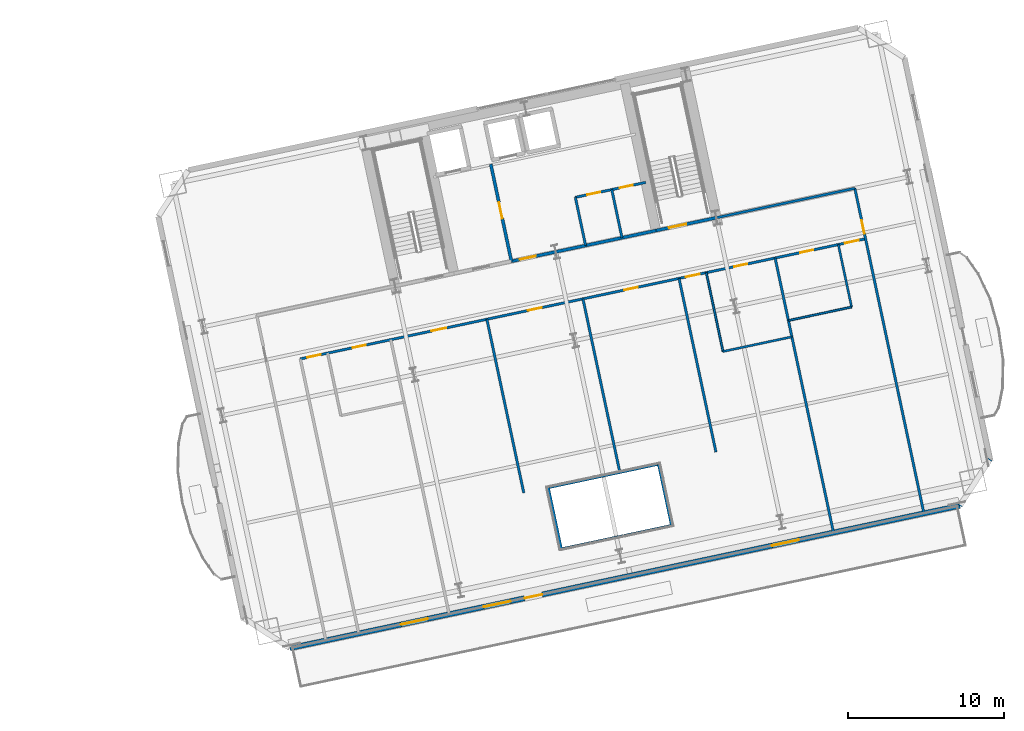
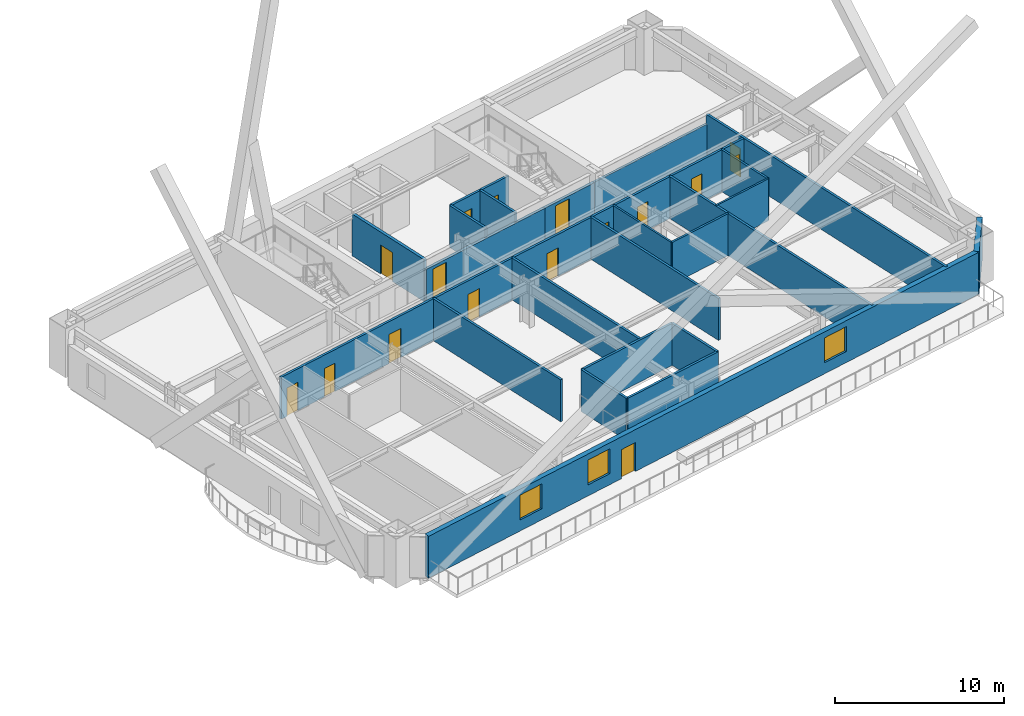
# One storey, part 14 of 25: 23 walls, 16 doors, 3 windows, 19 openings.
"""IFC4 building model written with IfcOpenShell, lengths in metres."""

from ifc_helpers import new_model, si_unit, direction, frame, frame_2d, origin, place, context, subcontext, project, spatial, rectangle, extrude, material, layer, layer_set, type_object, element, fill, save


model = new_model("IFC4")

# Units and contexts
model_context = context("Model", 3, precision=1e-05, world=origin(), true_north=direction((0.0, 1.0)))
body_context = subcontext(model_context, "Body", "Model", "MODEL_VIEW")
ifc_project = project(units=[si_unit("LENGTHUNIT", "METRE"), si_unit("AREAUNIT", "SQUARE_METRE"), si_unit("VOLUMEUNIT", "CUBIC_METRE"), si_unit("PLANEANGLEUNIT", "RADIAN"), si_unit("MASSUNIT", "GRAM", prefix="KILO")], contexts=[model_context])

# Site, building, storey
site_placement = place(None, origin())
site = spatial("IfcSite", under=ifc_project, at=site_placement, CompositionType="ELEMENT")
building_placement = place(site_placement, origin())
building = spatial("IfcBuilding", under=site, at=building_placement, Name="Haevon Station Towers", CompositionType="ELEMENT")
storey_placement = place(building_placement, frame((0.0, 0.0, 50.39990234375)))
storey = spatial("IfcBuildingStorey", under=building, at=storey_placement, Name="L12", CompositionType="ELEMENT", Elevation=50.39990234375)

# Wall, opening, door
ifc_material_1 = material(Name="Gypsum board on steel stud", Category="steel")
ifc_layer_1 = layer(ifc_material_1, 0.199951171875)
ifc_layer_set_1 = layer_set([ifc_layer_1], Name="Gypsum board on steel stud")
wall_type_1 = type_object("IfcWallType", Name="WL-COR200", PredefinedType="PARTITIONING", material=ifc_layer_set_1)
wall_1_placement = place(storey_placement, frame((115.4296875, 40.9873046875, 0.0), z_axis=(0.0, 0.0, 1.0), x_axis=(0.978146596989, 0.207916413008, 0.0)))
wall_1 = element("IfcWall", 1, at=wall_1_placement, inside=storey, type_object=wall_type_1, Name="WL-ST-ST4-L12", PredefinedType="PARTITIONING", context=body_context, shape_type="SweptSolid", body=[
    extrude(rectangle(XDim=3.9501953125, YDim=0.199951171875, at=frame_2d((1.97509765625, 0.0))), origin(), (0.0, 0.0, 1.0), 2.330078125),
])
opening_1_placement = place(wall_1_placement, frame((0.85009765625, 0.0, 0.0)))
opening_1 = element("IfcOpeningElement", 2, at=opening_1_placement, cuts=wall_1, Name="Opening DR-ST-ST4-L12", PredefinedType="OPENING", context=body_context, shape_type="SweptSolid", body=[
    extrude(rectangle(XDim=1.1201171875, YDim=2.10009765625, at=frame_2d((0.56005859375, 1.050048828125))), frame((0.0, 0.10986328125, 0.0), z_axis=(0.0, -1.0, 0.0), x_axis=(1.0, 0.0, 0.0)), (0.0, 0.0, 1.0), 0.219970703125),
])
ifc_material_2 = material(Name="Engineered oak timber", Category="wood")
door_type_1 = type_object("IfcDoorType", Name="DR-ST-1120", OperationType="NOTDEFINED", PredefinedType="DOOR", material=ifc_material_2)
door_1_placement = place(opening_1_placement, origin())
door_1 = element("IfcDoor", 3, at=door_1_placement, inside=storey, type_object=door_type_1, Name="L12 Escape Stair ST4 Fire Door", OperationType="SINGLE_SWING_RIGHT", OverallHeight=2.10009765625, OverallWidth=1.1201171875, PredefinedType="DOOR", context=body_context, shape_type="SweptSolid", body=[
    extrude(rectangle(XDim=1.1201171875, YDim=2.10009765625, at=frame_2d((0.56005859375, 1.050048828125))), frame((0.0, 0.02490234375, 0.0), z_axis=(0.0, -1.0, 0.0), x_axis=(1.0, 0.0, 0.0)), (0.0, 0.0, 1.0), 0.050048828125),
])
fill(opening_1, door_1)

wall_2_placement = place(storey_placement, frame((106.186279296875, 39.0224609375, 0.0), z_axis=(0.0, 0.0, 1.0), x_axis=(-0.207916691923, 0.978146537703, 0.0)))
wall_2 = element("IfcWall", 4, at=wall_2_placement, inside=storey, type_object=wall_type_1, Name="WL-T2FFL-L12-E", PredefinedType="PARTITIONING", context=body_context, shape_type="SweptSolid", body=[
    extrude(rectangle(XDim=6.35009765625, YDim=0.199951171875, at=frame_2d((3.175048828125, 0.0))), origin(), (0.0, 0.0, 1.0), 3.030029296875),
])
opening_2_placement = place(wall_2_placement, frame((2.800048828125, 0.0, 0.0)))
opening_2 = element("IfcOpeningElement", 5, at=opening_2_placement, cuts=wall_2, Name="Opening DR-T2FFL-L12-E", PredefinedType="OPENING", context=body_context, shape_type="SweptSolid", body=[
    extrude(rectangle(XDim=1.050048828125, YDim=2.10009765625, at=frame_2d((0.52490234375, 1.050048828125))), frame((0.0, 0.10986328125, 0.0), z_axis=(0.0, -1.0, 0.0), x_axis=(1.0, 0.0, 0.0)), (0.0, 0.0, 1.0), 0.219970703125),
])
door_type_2 = type_object("IfcDoorType", Name="DR-FD60-1050", OperationType="NOTDEFINED", PredefinedType="DOOR", material=ifc_material_2)
door_2_placement = place(opening_2_placement, origin())
door_2 = element("IfcDoor", 6, at=door_2_placement, inside=storey, type_object=door_type_2, Name="L12 Tower 2 Firefighting Lift Lobby Door E", OperationType="SINGLE_SWING_LEFT", OverallHeight=2.10009765625, OverallWidth=1.050048828125, PredefinedType="DOOR", context=body_context, shape_type="SweptSolid", body=[
    extrude(rectangle(XDim=1.050048828125, YDim=2.10009765625, at=frame_2d((0.52490234375, 1.050048828125))), frame((0.0, 0.02490234375, 0.0), z_axis=(0.0, -1.0, 0.0), x_axis=(1.0, 0.0, 0.0)), (0.0, 0.0, 1.0), 0.050048828125),
])
fill(opening_2, door_2)

wall_3_placement = place(storey_placement, frame((106.186279296875, 39.0224609375, 0.0), z_axis=(0.0, 0.0, 1.0), x_axis=(0.978145519981, 0.20792147975, 0.0)))
wall_3 = element("IfcWall", 7, at=wall_3_placement, inside=storey, type_object=wall_type_1, Name="WL-T2CLB-L12", PredefinedType="PARTITIONING", context=body_context, shape_type="SweptSolid", body=[
    extrude(rectangle(XDim=9.449951171875, YDim=0.199951171875, at=frame_2d((4.72509765625, 0.0))), origin(), (0.0, 0.0, 1.0), 2.330078125),
])
opening_3_placement = place(wall_3_placement, frame((0.550048828125, 0.0, 0.0)))
opening_3 = element("IfcOpeningElement", 8, at=opening_3_placement, cuts=wall_3, Name="Opening DR-T2CLB-L12-1", PredefinedType="OPENING", context=body_context, shape_type="SweptSolid", body=[
    extrude(rectangle(XDim=1.050048828125, YDim=2.10009765625, at=frame_2d((0.52490234375, 1.050048828125))), frame((0.0, 0.10986328125, 0.0), z_axis=(0.0, -1.0, 0.0), x_axis=(1.0, 0.0, 0.0)), (0.0, 0.0, 1.0), 0.219970703125),
])
door_3_placement = place(opening_3_placement, origin())
door_3 = element("IfcDoor", 9, at=door_3_placement, inside=storey, type_object=door_type_2, Name="L12 Tower 2 Core Lift Lobby Door 1", OperationType="SINGLE_SWING_LEFT", OverallHeight=2.10009765625, OverallWidth=1.050048828125, PredefinedType="DOOR", context=body_context, shape_type="SweptSolid", body=[
    extrude(rectangle(XDim=1.050048828125, YDim=2.10009765625, at=frame_2d((0.52490234375, 1.050048828125))), frame((0.0, 0.02490234375, 0.0), z_axis=(0.0, -1.0, 0.0), x_axis=(1.0, 0.0, 0.0)), (0.0, 0.0, 1.0), 0.050048828125),
])
fill(opening_3, door_3)

# Wall, openings, door, windows
ifc_material_3 = material(Name="Precast concrete C45/55", Category="concrete")
ifc_layer_2 = layer(ifc_material_3, 0.340087890625)
ifc_layer_set_2 = layer_set([ifc_layer_2], Name="Precast concrete C45/55")
wall_type_2 = type_object("IfcWallType", Name="WL-EXT-PIER340", PredefinedType="SOLIDWALL", material=ifc_layer_set_2)
wall_4_placement = place(storey_placement, frame((134.862548828125, 23.39306640625, 0.0), z_axis=(0.0, 0.0, 1.0), x_axis=(-0.978148154167, -0.207909087104, 0.0)))
wall_4 = element("IfcWall", 10, at=wall_4_placement, inside=storey, type_object=wall_type_2, Name="WL-T2-L12-S", PredefinedType="SOLIDWALL", context=body_context, shape_type="SweptSolid", body=[
    extrude(rectangle(XDim=43.800048828125, YDim=0.340087890625, at=frame_2d((21.89990234375, 0.0))), origin(), (0.0, 0.0, 1.0), 3.030029296875),
])
opening_4_placement = place(wall_4_placement, frame((27.306396484375, 0.0, 0.0)))
opening_4 = element("IfcOpeningElement", 11, at=opening_4_placement, cuts=wall_4, Name="Opening DR-T2-SKYG-L12", PredefinedType="OPENING", context=body_context, shape_type="SweptSolid", body=[
    extrude(rectangle(XDim=1.14990234375, YDim=2.10009765625, at=frame_2d((0.574951171875, 1.050048828125))), frame((0.0, 0.179931640625, 0.0), z_axis=(0.0, -1.0, 0.0), x_axis=(1.0, 0.0, 0.0)), (0.0, 0.0, 1.0), 0.360107421875),
])
opening_5_placement = place(wall_4_placement, frame((34.78857421875, 0.0, 0.800048828125)))
opening_5 = element("IfcOpeningElement", 12, at=opening_5_placement, cuts=wall_4, Name="Opening WN-P175", PredefinedType="OPENING", context=body_context, shape_type="SweptSolid", body=[
    extrude(rectangle(XDim=1.75, YDim=1.800048828125, at=frame_2d((0.875, 0.89990234375))), frame((0.0, 0.179931640625, 0.0), z_axis=(0.0, -1.0, 0.0), x_axis=(1.0, 0.0, 0.0)), (0.0, 0.0, 1.0), 0.360107421875),
])
opening_6_placement = place(wall_4_placement, frame((29.372314453125, 0.0, 0.800048828125)))
opening_6 = element("IfcOpeningElement", 13, at=opening_6_placement, cuts=wall_4, Name="Opening WN-P175", PredefinedType="OPENING", context=body_context, shape_type="SweptSolid", body=[
    extrude(rectangle(XDim=1.75, YDim=1.800048828125, at=frame_2d((0.875, 0.89990234375))), frame((0.0, 0.179931640625, 0.0), z_axis=(0.0, -1.0, 0.0), x_axis=(1.0, 0.0, 0.0)), (0.0, 0.0, 1.0), 0.360107421875),
])
opening_7_placement = place(wall_4_placement, frame((10.52783203125, 0.0, 0.800048828125)))
opening_7 = element("IfcOpeningElement", 14, at=opening_7_placement, cuts=wall_4, Name="Opening WN-P175", PredefinedType="OPENING", context=body_context, shape_type="SweptSolid", body=[
    extrude(rectangle(XDim=1.75, YDim=1.800048828125, at=frame_2d((0.875, 0.89990234375))), frame((0.0, 0.179931640625, 0.0), z_axis=(0.0, -1.0, 0.0), x_axis=(1.0, 0.0, 0.0)), (0.0, 0.0, 1.0), 0.360107421875),
])
ifc_material_4 = material(Name="Thermally broken anodised aluminium and laminated safety glass", Category="aluminium")
door_type_3 = type_object("IfcDoorType", Name="DR-BALC-1150", OperationType="NOTDEFINED", PredefinedType="DOOR", material=ifc_material_4)
door_4_placement = place(opening_4_placement, origin())
door_4 = element("IfcDoor", 15, at=door_4_placement, inside=storey, type_object=door_type_3, Name="Tower 2 L12 Sky Garden Terrace Door", OperationType="SINGLE_SWING_LEFT", OverallHeight=2.10009765625, OverallWidth=1.14990234375, PredefinedType="DOOR", context=body_context, shape_type="SweptSolid", body=[
    extrude(rectangle(XDim=1.14990234375, YDim=2.10009765625, at=frame_2d((0.574951171875, 1.050048828125))), frame((0.0, 0.02490234375, 0.0), z_axis=(0.0, -1.0, 0.0), x_axis=(1.0, 0.0, 0.0)), (0.0, 0.0, 1.0), 0.050048828125),
])
fill(opening_4, door_4)
ifc_material_5 = material(Name="Low-E triple glazing in thermally broken aluminium", Category="aluminium")
window_type = type_object("IfcWindowType", Name="WN-P175", PartitioningType="SINGLE_PANEL", PredefinedType="WINDOW", material=ifc_material_5)
window_1_placement = place(opening_5_placement, origin())
window_1 = element("IfcWindow", 16, at=window_1_placement, inside=storey, type_object=window_type, Name="WN-T2-L12-S01", OverallHeight=1.800048828125, OverallWidth=1.75, PartitioningType="SINGLE_PANEL", PredefinedType="WINDOW", context=body_context, shape_type="SweptSolid", body=[
    extrude(rectangle(XDim=1.75, YDim=1.800048828125, at=frame_2d((0.875, 0.89990234375))), frame((0.0, 0.030029296875, 0.0), z_axis=(0.0, -1.0, 0.0), x_axis=(1.0, 0.0, 0.0)), (0.0, 0.0, 1.0), 0.06005859375),
])
fill(opening_5, window_1)
window_2_placement = place(opening_6_placement, origin())
window_2 = element("IfcWindow", 17, at=window_2_placement, inside=storey, type_object=window_type, Name="WN-T2-L12-S02", OverallHeight=1.800048828125, OverallWidth=1.75, PartitioningType="SINGLE_PANEL", PredefinedType="WINDOW", context=body_context, shape_type="SweptSolid", body=[
    extrude(rectangle(XDim=1.75, YDim=1.800048828125, at=frame_2d((0.875, 0.89990234375))), frame((0.0, 0.030029296875, 0.0), z_axis=(0.0, -1.0, 0.0), x_axis=(1.0, 0.0, 0.0)), (0.0, 0.0, 1.0), 0.06005859375),
])
fill(opening_6, window_2)
window_3_placement = place(opening_7_placement, origin())
window_3 = element("IfcWindow", 18, at=window_3_placement, inside=storey, type_object=window_type, Name="WN-T2-L12-S03", OverallHeight=1.800048828125, OverallWidth=1.75, PartitioningType="SINGLE_PANEL", PredefinedType="WINDOW", context=body_context, shape_type="SweptSolid", body=[
    extrude(rectangle(XDim=1.75, YDim=1.800048828125, at=frame_2d((0.875, 0.89990234375))), frame((0.0, 0.030029296875, 0.0), z_axis=(0.0, -1.0, 0.0), x_axis=(1.0, 0.0, 0.0)), (0.0, 0.0, 1.0), 0.06005859375),
])
fill(opening_7, window_3)

# Walls
wall_5_placement = place(storey_placement, frame((136.7880859375, 26.358154296875, 0.0), z_axis=(0.0, 0.0, 1.0), x_axis=(-0.544636352948, -0.838672309694, 0.0)))
element("IfcWall", 19, at=wall_5_placement, inside=storey, type_object=wall_type_2, Name="WL-T2-L12-SEC", PredefinedType="SOLIDWALL", context=body_context, shape_type="SweptSolid", body=[
    extrude(rectangle(XDim=3.535400390625, YDim=0.340087890625, at=frame_2d((1.767578125, 0.0))), origin(), (0.0, 0.0, 1.0), 3.030029296875),
])
ifc_layer_3 = layer(ifc_material_1, 0.125)
ifc_layer_set_3 = layer_set([ifc_layer_3], Name="Gypsum board on steel stud")
wall_type_3 = type_object("IfcWallType", Name="WL-PRT125", PredefinedType="PARTITIONING", material=ifc_layer_set_3)
wall_6_placement = place(storey_placement, frame((119.717529296875, 33.25537109375, 0.0), z_axis=(0.0, 0.0, 1.0), x_axis=(-0.207934097981, 0.978142837676, 0.0)))
element("IfcWall", 20, at=wall_6_placement, inside=storey, type_object=wall_type_3, Name="WL-T2PT-L12-19", PredefinedType="PARTITIONING", context=body_context, shape_type="SweptSolid", body=[
    extrude(rectangle(XDim=5.154296875, YDim=0.125, at=frame_2d((2.5771484375, 0.0))), origin(), (0.0, 0.0, 1.0), 3.030029296875),
])
wall_7_placement = place(storey_placement, frame((123.8984375, 35.23681640625, 0.0), z_axis=(0.0, 0.0, 1.0), x_axis=(0.978146085238, 0.207918820535, 0.0)))
element("IfcWall", 21, at=wall_7_placement, inside=storey, type_object=wall_type_3, Name="WL-T2PT-L12-21", PredefinedType="PARTITIONING", context=body_context, shape_type="SweptSolid", body=[
    extrude(rectangle(XDim=4.132080078125, YDim=0.125, at=frame_2d((2.06591796875, 0.0))), origin(), (0.0, 0.0, 1.0), 3.030029296875),
])
ifc_layer_4 = layer(ifc_material_1, 0.139892578125)
ifc_layer_set_4 = layer_set([ifc_layer_4], Name="Gypsum board on steel stud")
wall_type_4 = type_object("IfcWallType", Name="WL-PRT140", PredefinedType="PARTITIONING", material=ifc_layer_set_4)
wall_8_placement = place(storey_placement, frame((119.717529296875, 33.25537109375, 0.0), z_axis=(0.0, 0.0, 1.0), x_axis=(0.978141617635, 0.207939837095, 0.0)))
element("IfcWall", 22, at=wall_8_placement, inside=storey, type_object=wall_type_4, Name="WL-T2PT-L12-18", PredefinedType="PARTITIONING", context=body_context, shape_type="SweptSolid", body=[
    extrude(rectangle(XDim=4.50146484375, YDim=0.139892578125, at=frame_2d((2.250732421875, 0.0))), origin(), (0.0, 0.0, 1.0), 3.030029296875),
])
wall_9_placement = place(storey_placement, frame((127.940185546875, 36.095947265625, 0.0), z_axis=(0.0, 0.0, 1.0), x_axis=(-0.207949518415, 0.978139559465, 0.0)))
element("IfcWall", 23, at=wall_9_placement, inside=storey, type_object=wall_type_4, Name="WL-T2PT-L12-22", PredefinedType="PARTITIONING", context=body_context, shape_type="SweptSolid", body=[
    extrude(rectangle(XDim=4.085693359375, YDim=0.139892578125, at=frame_2d((2.04296875, 0.0))), origin(), (0.0, 0.0, 1.0), 3.030029296875),
])
ifc_layer_5 = layer(ifc_material_1, 0.159912109375)
ifc_layer_set_5 = layer_set([ifc_layer_5], Name="Gypsum board on steel stud")
wall_type_5 = type_object("IfcWallType", Name="WL-PRT160", PredefinedType="PARTITIONING", material=ifc_layer_set_5)
wall_10_placement = place(storey_placement, frame((110.93017578125, 40.031005859375, 0.0), z_axis=(0.0, 0.0, 1.0), x_axis=(-0.207877295669, 0.978154911016, 0.0)))
element("IfcWall", 24, at=wall_10_placement, inside=storey, type_object=wall_type_5, Name="WL-T2CW-L12-01", PredefinedType="PARTITIONING", context=body_context, shape_type="SweptSolid", body=[
    extrude(rectangle(XDim=3.14990234375, YDim=0.159912109375, at=frame_2d((1.574951171875, 0.0))), origin(), (0.0, 0.0, 1.0), 3.030029296875),
])
wall_11_placement = place(storey_placement, frame((113.25830078125, 40.525634765625, 0.0), z_axis=(0.0, 0.0, 1.0), x_axis=(-0.207935688634, 0.978142499533, 0.0)))
element("IfcWall", 25, at=wall_11_placement, inside=storey, type_object=wall_type_5, Name="WL-T2CW-L12-02", PredefinedType="PARTITIONING", context=body_context, shape_type="SweptSolid", body=[
    extrude(rectangle(XDim=3.150146484375, YDim=0.159912109375, at=frame_2d((1.5751953125, 0.0))), origin(), (0.0, 0.0, 1.0), 3.030029296875),
])

# Wall, openings, doors
wall_12_placement = place(storey_placement, frame((110.275390625, 43.112060546875, 0.0), z_axis=(0.0, 0.0, 1.0), x_axis=(0.978152106073, 0.207890493732, 0.0)))
wall_12 = element("IfcWall", 26, at=wall_12_placement, inside=storey, type_object=wall_type_5, Name="WL-T2CW-L12-03", PredefinedType="PARTITIONING", context=body_context, shape_type="SweptSolid", body=[
    extrude(rectangle(XDim=4.60009765625, YDim=0.159912109375, at=frame_2d((2.300048828125, 0.0))), origin(), (0.0, 0.0, 1.0), 3.030029296875),
])
opening_8_placement = place(wall_12_placement, frame((0.784912109375, 0.0, 0.0)))
opening_8 = element("IfcOpeningElement", 27, at=opening_8_placement, cuts=wall_12, Name="Opening DR-WL-T2CW-L12-03-1", PredefinedType="OPENING", context=body_context, shape_type="SweptSolid", body=[
    extrude(rectangle(XDim=0.85009765625, YDim=2.050048828125, at=frame_2d((0.425048828125, 1.02490234375))), frame((0.0, 0.08984375, 0.0), z_axis=(0.0, -1.0, 0.0), x_axis=(1.0, 0.0, 0.0)), (0.0, 0.0, 1.0), 0.179931640625),
])
opening_9_placement = place(wall_12_placement, frame((2.905029296875, 0.0, 0.0)))
opening_9 = element("IfcOpeningElement", 28, at=opening_9_placement, cuts=wall_12, Name="Opening DR-WL-T2CW-L12-03-2", PredefinedType="OPENING", context=body_context, shape_type="SweptSolid", body=[
    extrude(rectangle(XDim=0.85009765625, YDim=2.050048828125, at=frame_2d((0.425048828125, 1.02490234375))), frame((0.0, 0.08984375, 0.0), z_axis=(0.0, -1.0, 0.0), x_axis=(1.0, 0.0, 0.0)), (0.0, 0.0, 1.0), 0.179931640625),
])
door_type_4 = type_object("IfcDoorType", Name="DR-FD30-850", OperationType="NOTDEFINED", PredefinedType="DOOR", material=ifc_material_2)
door_5_placement = place(opening_8_placement, origin())
door_5 = element("IfcDoor", 29, at=door_5_placement, inside=storey, type_object=door_type_4, Name="L12 Tower 2 Core Room Door 3-1", OperationType="SINGLE_SWING_LEFT", OverallHeight=2.050048828125, OverallWidth=0.85009765625, PredefinedType="DOOR", context=body_context, shape_type="SweptSolid", body=[
    extrude(rectangle(XDim=0.85009765625, YDim=2.050048828125, at=frame_2d((0.425048828125, 1.02490234375))), frame((0.0, 0.02490234375, 0.0), z_axis=(0.0, -1.0, 0.0), x_axis=(1.0, 0.0, 0.0)), (0.0, 0.0, 1.0), 0.050048828125),
])
fill(opening_8, door_5)
door_6_placement = place(opening_9_placement, origin())
door_6 = element("IfcDoor", 30, at=door_6_placement, inside=storey, type_object=door_type_4, Name="L12 Tower 2 Core Room Door 3-2", OperationType="SINGLE_SWING_RIGHT", OverallHeight=2.050048828125, OverallWidth=0.85009765625, PredefinedType="DOOR", context=body_context, shape_type="SweptSolid", body=[
    extrude(rectangle(XDim=0.85009765625, YDim=2.050048828125, at=frame_2d((0.425048828125, 1.02490234375))), frame((0.0, 0.02490234375, 0.0), z_axis=(0.0, -1.0, 0.0), x_axis=(1.0, 0.0, 0.0)), (0.0, 0.0, 1.0), 0.050048828125),
])
fill(opening_9, door_6)

# Wall
wall_13_placement = place(storey_placement, frame((119.29345703125, 41.80859375, 0.0), z_axis=(0.0, 0.0, 1.0), x_axis=(0.978148085545, 0.207909409948, 0.0)))
element("IfcWall", 31, at=wall_13_placement, inside=storey, type_object=wall_type_5, Name="WL-T2PT-L12-03", PredefinedType="PARTITIONING", context=body_context, shape_type="SweptSolid", body=[
    extrude(rectangle(XDim=9.050048828125, YDim=0.159912109375, at=frame_2d((4.52490234375, 0.0))), origin(), (0.0, 0.0, 1.0), 2.330078125),
])

# Wall, opening, door
wall_14_placement = place(storey_placement, frame((132.563720703125, 22.904541015625, 0.0), z_axis=(0.0, 0.0, 1.0), x_axis=(-0.207904649693, 0.978149097345, 0.0)))
wall_14 = element("IfcWall", 32, at=wall_14_placement, inside=storey, type_object=wall_type_5, Name="WL-T2PT-L12-05", PredefinedType="PARTITIONING", context=body_context, shape_type="SweptSolid", body=[
    extrude(rectangle(XDim=21.25, YDim=0.159912109375, at=frame_2d((10.625, 0.0))), origin(), (0.0, 0.0, 1.0), 3.030029296875),
])
opening_10_placement = place(wall_14_placement, frame((18.27001953125, 0.0, 0.0)))
opening_10 = element("IfcOpeningElement", 33, at=opening_10_placement, cuts=wall_14, Name="Opening DR-WL-T2PT-L12-05-01", PredefinedType="OPENING", context=body_context, shape_type="SweptSolid", body=[
    extrude(rectangle(XDim=0.89990234375, YDim=2.050048828125, at=frame_2d((0.449951171875, 1.02490234375))), frame((0.0, 0.08984375, 0.0), z_axis=(0.0, -1.0, 0.0), x_axis=(1.0, 0.0, 0.0)), (0.0, 0.0, 1.0), 0.179931640625),
])
door_type_5 = type_object("IfcDoorType", Name="DR-INT-900", OperationType="NOTDEFINED", PredefinedType="DOOR", material=ifc_material_2)
door_7_placement = place(opening_10_placement, origin())
door_7 = element("IfcDoor", 34, at=door_7_placement, inside=storey, type_object=door_type_5, Name="L12 Tower 2 Room Door 5-1", OperationType="SINGLE_SWING_RIGHT", OverallHeight=2.050048828125, OverallWidth=0.89990234375, PredefinedType="DOOR", context=body_context, shape_type="SweptSolid", body=[
    extrude(rectangle(XDim=0.89990234375, YDim=2.050048828125, at=frame_2d((0.449951171875, 1.02490234375))), frame((0.0, 0.02490234375, 0.0), z_axis=(0.0, -1.0, 0.0), x_axis=(1.0, 0.0, 0.0)), (0.0, 0.0, 1.0), 0.050048828125),
])
fill(opening_10, door_7)

# Walls
for number, where, z_axis, x_axis, name in (
    (35, (109.379150390625, 20.634521484375, 0.0), (0.0, 0.0, 1.0), (0.978144974276, 0.207924046946, 0.0), "WL-T2PT-L12-06"),
    (36, (108.54736328125, 24.547119140625, 0.0), (0.0, 0.0, 1.0), (0.978144974276, 0.207924046946, 0.0), "WL-T2PT-L12-07"),
):
    element("IfcWall", number, at=place(storey_placement, frame(where, z_axis=z_axis, x_axis=x_axis)), inside=storey, type_object=wall_type_5, Name=name, PredefinedType="PARTITIONING", context=body_context, shape_type="SweptSolid", body=[
        extrude(rectangle(XDim=7.2001953125, YDim=0.159912109375, at=frame_2d((3.60009765625, 0.0))), origin(), (0.0, 0.0, 1.0), 3.030029296875),
    ])
for number, where, z_axis, x_axis, name in (
    (37, (109.379150390625, 20.634521484375, 0.0), (0.0, 0.0, 1.0), (-0.207944891454, 0.978140543132, 0.0), "WL-T2PT-L12-08"),
    (38, (116.421875, 22.131591796875, 0.0), (0.0, 0.0, 1.0), (-0.207944891454, 0.978140543132, 0.0), "WL-T2PT-L12-09"),
):
    element("IfcWall", number, at=place(storey_placement, frame(where, z_axis=z_axis, x_axis=x_axis)), inside=storey, type_object=wall_type_5, Name=name, PredefinedType="PARTITIONING", context=body_context, shape_type="SweptSolid", body=[
        extrude(rectangle(XDim=4.0, YDim=0.159912109375, at=frame_2d((2.0, 0.0))), origin(), (0.0, 0.0, 1.0), 3.030029296875),
    ])
for number, where, z_axis, x_axis, name in (
    (39, (106.97607421875, 24.213134765625, 0.0), (0.0, 0.0, 1.0), (-0.20791586684, 0.978146713084, 0.0), "WL-T2PT-L12-13"),
    (40, (113.120361328125, 25.51904296875, 0.0), (0.0, 0.0, 1.0), (-0.20791586684, 0.978146713084, 0.0), "WL-T2PT-L12-14"),
):
    element("IfcWall", number, at=place(storey_placement, frame(where, z_axis=z_axis, x_axis=x_axis)), inside=storey, type_object=wall_type_5, Name=name, PredefinedType="PARTITIONING", context=body_context, shape_type="SweptSolid", body=[
        extrude(rectangle(XDim=11.35009765625, YDim=0.159912109375, at=frame_2d((5.675048828125, 0.0))), origin(), (0.0, 0.0, 1.0), 3.030029296875),
    ])
wall_15_placement = place(storey_placement, frame((119.2646484375, 26.8251953125, 0.0), z_axis=(0.0, 0.0, 1.0), x_axis=(-0.20792024147, 0.978145783197, 0.0)))
element("IfcWall", 41, at=wall_15_placement, inside=storey, type_object=wall_type_5, Name="WL-T2PT-L12-16", PredefinedType="PARTITIONING", context=body_context, shape_type="SweptSolid", body=[
    extrude(rectangle(XDim=11.349853515625, YDim=0.159912109375, at=frame_2d((5.6748046875, 0.0))), origin(), (0.0, 0.0, 1.0), 3.030029296875),
])
wall_16_placement = place(storey_placement, frame((126.781005859375, 21.67529296875, 0.0), z_axis=(0.0, 0.0, 1.0), x_axis=(-0.207906091967, 0.978148790789, 0.0)))
element("IfcWall", 42, at=wall_16_placement, inside=storey, type_object=wall_type_5, Name="WL-T2PT-L12-20", PredefinedType="PARTITIONING", context=body_context, shape_type="SweptSolid", body=[
    extrude(rectangle(XDim=17.9501953125, YDim=0.159912109375, at=frame_2d((8.97509765625, 0.0))), origin(), (0.0, 0.0, 1.0), 3.030029296875),
])

# Wall, openings, doors
wall_17_placement = place(storey_placement, frame((92.689208984375, 32.780029296875, 0.0), z_axis=(0.0, 0.0, 1.0), x_axis=(0.97814877431, 0.207906169498, 0.0)))
wall_17 = element("IfcWall", 43, at=wall_17_placement, inside=storey, type_object=wall_type_5, Name="WL-T2PT-L12-23", PredefinedType="PARTITIONING", context=body_context, shape_type="SweptSolid", body=[
    extrude(rectangle(XDim=36.949951171875, YDim=0.159912109375, at=frame_2d((18.47509765625, 0.0))), origin(), (0.0, 0.0, 1.0), 3.030029296875),
])
opening_11_placement = place(wall_17_placement, frame((3.4208984375, 0.0, 0.0)))
opening_11 = element("IfcOpeningElement", 44, at=opening_11_placement, cuts=wall_17, Name="Opening DR-WL-T2PT-L12-23-01", PredefinedType="OPENING", context=body_context, shape_type="SweptSolid", body=[
    extrude(rectangle(XDim=0.85009765625, YDim=2.050048828125, at=frame_2d((0.425048828125, 1.02490234375))), frame((0.0, 0.08984375, 0.0), z_axis=(0.0, -1.0, 0.0), x_axis=(1.0, 0.0, 0.0)), (0.0, 0.0, 1.0), 0.179931640625),
])
opening_12_placement = place(wall_17_placement, frame((0.43994140625, 0.0, 0.0)))
opening_12 = element("IfcOpeningElement", 45, at=opening_12_placement, cuts=wall_17, Name="Opening DR-WL-T2PT-L12-23-02", PredefinedType="OPENING", context=body_context, shape_type="SweptSolid", body=[
    extrude(rectangle(XDim=0.89990234375, YDim=2.050048828125, at=frame_2d((0.449951171875, 1.02490234375))), frame((0.0, 0.08984375, 0.0), z_axis=(0.0, -1.0, 0.0), x_axis=(1.0, 0.0, 0.0)), (0.0, 0.0, 1.0), 0.179931640625),
])
opening_13_placement = place(wall_17_placement, frame((8.577880859375, 0.0, 0.0)))
opening_13 = element("IfcOpeningElement", 46, at=opening_13_placement, cuts=wall_17, Name="Opening DR-WL-T2PT-L12-23-03", PredefinedType="OPENING", context=body_context, shape_type="SweptSolid", body=[
    extrude(rectangle(XDim=0.949951171875, YDim=2.10009765625, at=frame_2d((0.47509765625, 1.050048828125))), frame((0.0, 0.08984375, 0.0), z_axis=(0.0, -1.0, 0.0), x_axis=(1.0, 0.0, 0.0)), (0.0, 0.0, 1.0), 0.179931640625),
])
opening_14_placement = place(wall_17_placement, frame((14.884033203125, 0.0, 0.0)))
opening_14 = element("IfcOpeningElement", 47, at=opening_14_placement, cuts=wall_17, Name="Opening DR-WL-T2PT-L12-23-04", PredefinedType="OPENING", context=body_context, shape_type="SweptSolid", body=[
    extrude(rectangle(XDim=0.89990234375, YDim=2.050048828125, at=frame_2d((0.449951171875, 1.02490234375))), frame((0.0, 0.08984375, 0.0), z_axis=(0.0, -1.0, 0.0), x_axis=(1.0, 0.0, 0.0)), (0.0, 0.0, 1.0), 0.179931640625),
])
opening_15_placement = place(wall_17_placement, frame((21.166015625, 0.0, 0.0)))
opening_15 = element("IfcOpeningElement", 48, at=opening_15_placement, cuts=wall_17, Name="Opening DR-WL-T2PT-L12-23-05", PredefinedType="OPENING", context=body_context, shape_type="SweptSolid", body=[
    extrude(rectangle(XDim=0.89990234375, YDim=2.050048828125, at=frame_2d((0.449951171875, 1.02490234375))), frame((0.0, 0.08984375, 0.0), z_axis=(0.0, -1.0, 0.0), x_axis=(1.0, 0.0, 0.0)), (0.0, 0.0, 1.0), 0.179931640625),
])
opening_16_placement = place(wall_17_placement, frame((28.362060546875, 0.0, 0.0)))
opening_16 = element("IfcOpeningElement", 49, at=opening_16_placement, cuts=wall_17, Name="Opening DR-WL-T2PT-L12-23-06", PredefinedType="OPENING", context=body_context, shape_type="SweptSolid", body=[
    extrude(rectangle(XDim=0.85009765625, YDim=2.050048828125, at=frame_2d((0.425048828125, 1.02490234375))), frame((0.0, 0.08984375, 0.0), z_axis=(0.0, -1.0, 0.0), x_axis=(1.0, 0.0, 0.0)), (0.0, 0.0, 1.0), 0.179931640625),
])
opening_17_placement = place(wall_17_placement, frame((25.196044921875, 0.0, 0.0)))
opening_17 = element("IfcOpeningElement", 50, at=opening_17_placement, cuts=wall_17, Name="Opening DR-WL-T2PT-L12-23-07", PredefinedType="OPENING", context=body_context, shape_type="SweptSolid", body=[
    extrude(rectangle(XDim=0.89990234375, YDim=2.050048828125, at=frame_2d((0.449951171875, 1.02490234375))), frame((0.0, 0.08984375, 0.0), z_axis=(0.0, -1.0, 0.0), x_axis=(1.0, 0.0, 0.0)), (0.0, 0.0, 1.0), 0.179931640625),
])
opening_18_placement = place(wall_17_placement, frame((32.678955078125, 0.0, 0.0)))
opening_18 = element("IfcOpeningElement", 51, at=opening_18_placement, cuts=wall_17, Name="Opening DR-WL-T2PT-L12-23-08", PredefinedType="OPENING", context=body_context, shape_type="SweptSolid", body=[
    extrude(rectangle(XDim=0.85009765625, YDim=2.050048828125, at=frame_2d((0.425048828125, 1.02490234375))), frame((0.0, 0.08984375, 0.0), z_axis=(0.0, -1.0, 0.0), x_axis=(1.0, 0.0, 0.0)), (0.0, 0.0, 1.0), 0.179931640625),
])
opening_19_placement = place(wall_17_placement, frame((35.610107421875, 0.0, 0.0)))
opening_19 = element("IfcOpeningElement", 52, at=opening_19_placement, cuts=wall_17, Name="Opening DR-WL-T2PT-L12-23-09", PredefinedType="OPENING", context=body_context, shape_type="SweptSolid", body=[
    extrude(rectangle(XDim=0.89990234375, YDim=2.050048828125, at=frame_2d((0.449951171875, 1.02490234375))), frame((0.0, 0.08984375, 0.0), z_axis=(0.0, -1.0, 0.0), x_axis=(1.0, 0.0, 0.0)), (0.0, 0.0, 1.0), 0.179931640625),
])
door_8_placement = place(opening_11_placement, origin())
door_8 = element("IfcDoor", 53, at=door_8_placement, inside=storey, type_object=door_type_4, Name="L12 Tower 2 Room Door 23-1", OperationType="SINGLE_SWING_LEFT", OverallHeight=2.050048828125, OverallWidth=0.85009765625, PredefinedType="DOOR", context=body_context, shape_type="SweptSolid", body=[
    extrude(rectangle(XDim=0.85009765625, YDim=2.050048828125, at=frame_2d((0.425048828125, 1.02490234375))), frame((0.0, 0.02490234375, 0.0), z_axis=(0.0, -1.0, 0.0), x_axis=(1.0, 0.0, 0.0)), (0.0, 0.0, 1.0), 0.050048828125),
])
fill(opening_11, door_8)
door_9_placement = place(opening_16_placement, origin())
door_9 = element("IfcDoor", 54, at=door_9_placement, inside=storey, type_object=door_type_4, Name="L12 Tower 2 Room Door 23-6", OperationType="SINGLE_SWING_RIGHT", OverallHeight=2.050048828125, OverallWidth=0.85009765625, PredefinedType="DOOR", context=body_context, shape_type="SweptSolid", body=[
    extrude(rectangle(XDim=0.85009765625, YDim=2.050048828125, at=frame_2d((0.425048828125, 1.02490234375))), frame((0.0, 0.02490234375, 0.0), z_axis=(0.0, -1.0, 0.0), x_axis=(1.0, 0.0, 0.0)), (0.0, 0.0, 1.0), 0.050048828125),
])
fill(opening_16, door_9)
door_10_placement = place(opening_18_placement, origin())
door_10 = element("IfcDoor", 55, at=door_10_placement, inside=storey, type_object=door_type_4, Name="L12 Tower 2 Room Door 23-8", OperationType="SINGLE_SWING_RIGHT", OverallHeight=2.050048828125, OverallWidth=0.85009765625, PredefinedType="DOOR", context=body_context, shape_type="SweptSolid", body=[
    extrude(rectangle(XDim=0.85009765625, YDim=2.050048828125, at=frame_2d((0.425048828125, 1.02490234375))), frame((0.0, 0.02490234375, 0.0), z_axis=(0.0, -1.0, 0.0), x_axis=(1.0, 0.0, 0.0)), (0.0, 0.0, 1.0), 0.050048828125),
])
fill(opening_18, door_10)
door_type_6 = type_object("IfcDoorType", Name="DR-FD30-950", OperationType="NOTDEFINED", PredefinedType="DOOR", material=ifc_material_2)
door_11_placement = place(opening_13_placement, origin())
door_11 = element("IfcDoor", 56, at=door_11_placement, inside=storey, type_object=door_type_6, Name="L12 Tower 2 Room Door 23-3", OperationType="SINGLE_SWING_LEFT", OverallHeight=2.10009765625, OverallWidth=0.949951171875, PredefinedType="DOOR", context=body_context, shape_type="SweptSolid", body=[
    extrude(rectangle(XDim=0.949951171875, YDim=2.10009765625, at=frame_2d((0.47509765625, 1.050048828125))), frame((0.0, 0.02490234375, 0.0), z_axis=(0.0, -1.0, 0.0), x_axis=(1.0, 0.0, 0.0)), (0.0, 0.0, 1.0), 0.050048828125),
])
fill(opening_13, door_11)
door_12_placement = place(opening_12_placement, origin())
door_12 = element("IfcDoor", 57, at=door_12_placement, inside=storey, type_object=door_type_5, Name="L12 Tower 2 Room Door 23-2", OperationType="SINGLE_SWING_RIGHT", OverallHeight=2.050048828125, OverallWidth=0.89990234375, PredefinedType="DOOR", context=body_context, shape_type="SweptSolid", body=[
    extrude(rectangle(XDim=0.89990234375, YDim=2.050048828125, at=frame_2d((0.449951171875, 1.02490234375))), frame((0.0, 0.02490234375, 0.0), z_axis=(0.0, -1.0, 0.0), x_axis=(1.0, 0.0, 0.0)), (0.0, 0.0, 1.0), 0.050048828125),
])
fill(opening_12, door_12)
door_13_placement = place(opening_14_placement, origin())
door_13 = element("IfcDoor", 58, at=door_13_placement, inside=storey, type_object=door_type_5, Name="L12 Tower 2 Room Door 23-4", OperationType="SINGLE_SWING_RIGHT", OverallHeight=2.050048828125, OverallWidth=0.89990234375, PredefinedType="DOOR", context=body_context, shape_type="SweptSolid", body=[
    extrude(rectangle(XDim=0.89990234375, YDim=2.050048828125, at=frame_2d((0.449951171875, 1.02490234375))), frame((0.0, 0.02490234375, 0.0), z_axis=(0.0, -1.0, 0.0), x_axis=(1.0, 0.0, 0.0)), (0.0, 0.0, 1.0), 0.050048828125),
])
fill(opening_14, door_13)
door_14_placement = place(opening_15_placement, origin())
door_14 = element("IfcDoor", 59, at=door_14_placement, inside=storey, type_object=door_type_5, Name="L12 Tower 2 Room Door 23-5", OperationType="SINGLE_SWING_LEFT", OverallHeight=2.050048828125, OverallWidth=0.89990234375, PredefinedType="DOOR", context=body_context, shape_type="SweptSolid", body=[
    extrude(rectangle(XDim=0.89990234375, YDim=2.050048828125, at=frame_2d((0.449951171875, 1.02490234375))), frame((0.0, 0.02490234375, 0.0), z_axis=(0.0, -1.0, 0.0), x_axis=(1.0, 0.0, 0.0)), (0.0, 0.0, 1.0), 0.050048828125),
])
fill(opening_15, door_14)
door_15_placement = place(opening_17_placement, origin())
door_15 = element("IfcDoor", 60, at=door_15_placement, inside=storey, type_object=door_type_5, Name="L12 Tower 2 Room Door 23-7", OperationType="SINGLE_SWING_LEFT", OverallHeight=2.050048828125, OverallWidth=0.89990234375, PredefinedType="DOOR", context=body_context, shape_type="SweptSolid", body=[
    extrude(rectangle(XDim=0.89990234375, YDim=2.050048828125, at=frame_2d((0.449951171875, 1.02490234375))), frame((0.0, 0.02490234375, 0.0), z_axis=(0.0, -1.0, 0.0), x_axis=(1.0, 0.0, 0.0)), (0.0, 0.0, 1.0), 0.050048828125),
])
fill(opening_17, door_15)
door_16_placement = place(opening_19_placement, origin())
door_16 = element("IfcDoor", 61, at=door_16_placement, inside=storey, type_object=door_type_5, Name="L12 Tower 2 Room Door 23-9", OperationType="SINGLE_SWING_LEFT", OverallHeight=2.050048828125, OverallWidth=0.89990234375, PredefinedType="DOOR", context=body_context, shape_type="SweptSolid", body=[
    extrude(rectangle(XDim=0.89990234375, YDim=2.050048828125, at=frame_2d((0.449951171875, 1.02490234375))), frame((0.0, 0.02490234375, 0.0), z_axis=(0.0, -1.0, 0.0), x_axis=(1.0, 0.0, 0.0)), (0.0, 0.0, 1.0), 0.050048828125),
])
fill(opening_19, door_16)

save(model, "model.ifc")
